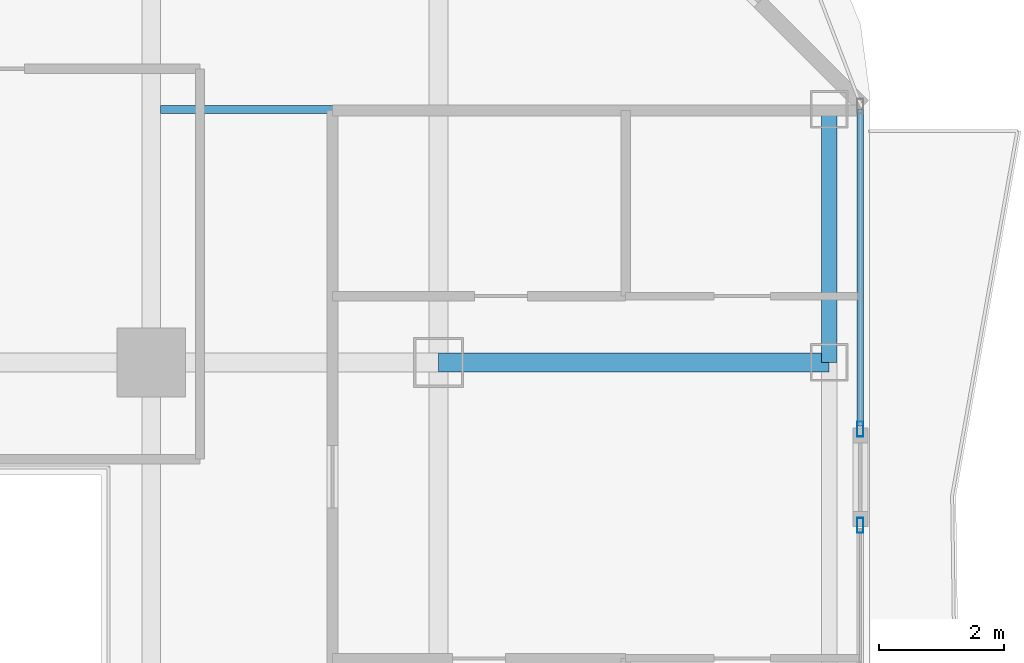
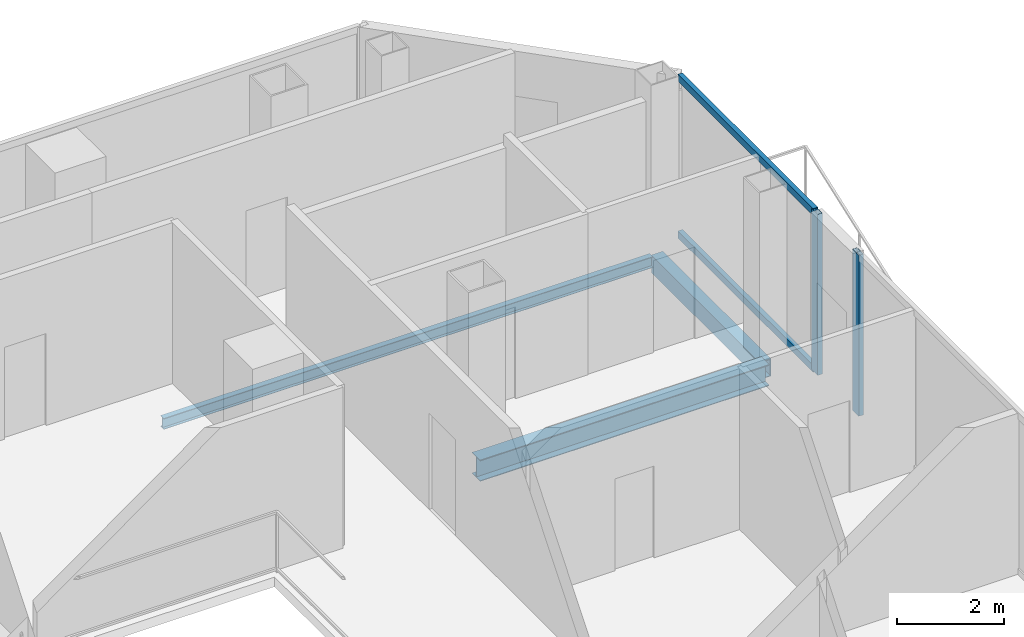
# One storey, part 16 of 27: 4 members, 3 beams, 2 elements without a shape of their own.
"""IFC4 building model written with IfcOpenShell, lengths in metres."""

from ifc_helpers import new_model, si_unit, direction, frame, origin, origin_2d, place, context, subcontext, project, spatial, hollow_rectangle, i_section, extrude, material, layer, layer_set, material_profile, profile_set, type_object, element, aggregate, save


model = new_model("IFC4")

# Units and contexts
model_context = context("Model", 3, precision=1e-05, world=origin(), true_north=direction((0.0, 1.0)))
body_context = subcontext(model_context, "Body", "Model", "MODEL_VIEW")
ifc_project = project(units=[si_unit("LENGTHUNIT", "METRE"), si_unit("AREAUNIT", "SQUARE_METRE"), si_unit("VOLUMEUNIT", "CUBIC_METRE"), si_unit("PLANEANGLEUNIT", "RADIAN"), si_unit("MASSUNIT", "GRAM", prefix="KILO")], contexts=[model_context])

# Site, building, storey
site_placement = place(None, origin())
site = spatial("IfcSite", under=ifc_project, at=site_placement, CompositionType="ELEMENT")
building_placement = place(site_placement, origin())
building = spatial("IfcBuilding", under=site, at=building_placement, Name="Khorvyn Point Tower", CompositionType="ELEMENT")
storey_placement = place(building_placement, frame((0.0, 0.0, 227.39990234375)))
storey = spatial("IfcBuildingStorey", under=building, at=storey_placement, Name="L56", CompositionType="ELEMENT", Elevation=227.39990234375)

# Curtain wall, member
ifc_material_1 = material(Name="Anodised aluminium 6063-T6 and laminated Low-E glass", Category="aluminium")
ifc_layer = layer(ifc_material_1, 0.18994140625)
ifc_layer_set = layer_set([ifc_layer], Name="Stick-Built Acoustic Curtain Wall CW-SYS-03")
curtain_wall_type = type_object("IfcCurtainWallType", Name="Stick-Built Acoustic Curtain Wall CW-SYS-03", PredefinedType="NOTDEFINED", material=ifc_layer_set)
curtain_wall_1_placement = place(storey_placement, origin())
curtain_wall_1 = element("IfcCurtainWall", 1, at=curtain_wall_1_placement, inside=storey, type_object=curtain_wall_type, Name="Curtain Wall", PredefinedType="NOTDEFINED")
ifc_material_2 = material(Name="Anodised aluminium 6063-T6", Category="aluminium")
ifc_material_profile_1 = material_profile(ifc_material_2, hollow_rectangle(XDim=0.10009765625, YDim=0.239990234375, WallThickness=0.0048828125, at=origin_2d()))
ifc_profile_set_1 = profile_set([ifc_material_profile_1], Name="Anodised aluminium 6063-T6 ALU-MUL-100x240")
member_type_1 = type_object("IfcMemberType", Name="Anodised Aluminium 6063-T6 Mullion ALU-MUL-100x240", PredefinedType="MULLION", material=ifc_profile_set_1)
member_1_placement = place(storey_placement, frame((26.14990234375, 6.33203125, 0.0), z_axis=(0.0, 0.0, 1.0), x_axis=(1.0, 0.0, 0.0)))
member_1 = element("IfcMember", 2, at=member_1_placement, type_object=member_type_1, Name="Transom", PredefinedType="MULLION", context=body_context, shape_type="SweptSolid", body=[
    extrude(hollow_rectangle(XDim=0.10009765625, YDim=0.239990234375, WallThickness=0.0048828125, at=origin_2d()), origin(), (0.0, 0.0, 1.0), 3.68017578125),
])

curtain_wall_2_placement = place(storey_placement, origin())
curtain_wall_2 = element("IfcCurtainWall", 3, at=curtain_wall_2_placement, inside=storey, type_object=curtain_wall_type, Name="Curtain Wall", PredefinedType="NOTDEFINED")
member_2_placement = place(storey_placement, frame((26.14990234375, 4.7919921875, 0.0), z_axis=(0.0, 0.0, 1.0), x_axis=(1.0, 0.0, 0.0)))
member_2 = element("IfcMember", 4, at=member_2_placement, type_object=member_type_1, Name="Transom", PredefinedType="MULLION", context=body_context, shape_type="SweptSolid", body=[
    extrude(hollow_rectangle(XDim=0.10009765625, YDim=0.239990234375, WallThickness=0.0048828125, at=origin_2d()), origin(), (0.0, 0.0, 1.0), 3.68017578125),
])
aggregate(curtain_wall_2, [member_2])

# Member
ifc_material_profile_2 = material_profile(ifc_material_2, hollow_rectangle(XDim=0.10009765625, YDim=0.159912109375, WallThickness=0.00439453125, at=origin_2d()))
ifc_profile_set_2 = profile_set([ifc_material_profile_2], Name="Anodised aluminium 6063-T6 ALU-TRN-100x160")
member_type_2 = type_object("IfcMemberType", Name="Anodised Aluminium 6063-T6 Transom ALU-TRN-100x160", PredefinedType="USERDEFINED", material=ifc_profile_set_2)
member_3_placement = place(storey_placement, frame((26.14990234375, 11.449951171875, 0.050048828125), z_axis=(0.0, -1.0, 0.0), x_axis=(1.0, 0.0, 0.0)))
member_3 = element("IfcMember", 5, at=member_3_placement, type_object=member_type_2, Name="Transom", ObjectType="TRANSOM", PredefinedType="USERDEFINED", context=body_context, shape_type="SweptSolid", body=[
    extrude(hollow_rectangle(XDim=0.10009765625, YDim=0.159912109375, WallThickness=0.00439453125, at=origin_2d()), origin(), (0.0, 0.0, 1.0), 5.06787109375),
])

member_4_placement = place(storey_placement, frame((26.14990234375, 11.449951171875, 3.630126953125), z_axis=(0.0, -1.0, 0.0), x_axis=(1.0, 0.0, 0.0)))
member_4 = element("IfcMember", 6, at=member_4_placement, type_object=member_type_2, Name="Transom", ObjectType="TRANSOM", PredefinedType="USERDEFINED", context=body_context, shape_type="SweptSolid", body=[
    extrude(hollow_rectangle(XDim=0.10009765625, YDim=0.159912109375, WallThickness=0.00439453125, at=origin_2d()), origin(), (0.0, 0.0, 1.0), 5.06787109375),
])

aggregate(curtain_wall_1, [member_1, member_3, member_4])

# Beams
ifc_material_3 = material(Name="Steel S355", Category="steel")
ifc_material_profile_3 = material_profile(ifc_material_3, i_section(OverallWidth=0.125, OverallDepth=0.25, WebThickness=0.006103515625, FlangeThickness=0.009033203125, at=origin_2d()))
ifc_profile_set_3 = profile_set([ifc_material_profile_3], Name="Steel S355 H250x125x6x9")
beam_type_1 = type_object("IfcBeamType", Name="Steel S355 Joist H250x125x6x9", PredefinedType="JOIST", material=ifc_profile_set_3)
beam_1_placement = place(storey_placement, frame((14.949951171875, 11.449951171875, -0.344970703125), z_axis=(1.0, 0.0, 0.0), x_axis=(0.0, 1.0, 0.0)))
element("IfcBeam", 7, at=beam_1_placement, inside=storey, type_object=beam_type_1, Name="Beam", PredefinedType="JOIST", context=body_context, shape_type="SweptSolid", body=[
    extrude(i_section(OverallWidth=0.125, OverallDepth=0.25, WebThickness=0.006103515625, FlangeThickness=0.009033203125, at=origin_2d()), origin(), (0.0, 0.0, 1.0), 10.574951171875),
])
ifc_material_profile_4 = material_profile(ifc_material_3, i_section(OverallWidth=0.300048828125, OverallDepth=0.488037109375, WebThickness=0.010986328125, FlangeThickness=0.01806640625, at=origin_2d()))
ifc_profile_set_4 = profile_set([ifc_material_profile_4], Name="Steel S355 H488x300x11x18")
beam_type_2 = type_object("IfcBeamType", Name="Steel S355 Spandrel H488x300x11x18", PredefinedType="SPANDREL", material=ifc_profile_set_4)
beam_2_placement = place(storey_placement, frame((19.39990234375, 7.39990234375, -0.4638671875), z_axis=(1.0, 0.0, 0.0), x_axis=(0.0, 1.0, 0.0)))
element("IfcBeam", 8, at=beam_2_placement, inside=storey, type_object=beam_type_2, Name="Beam", PredefinedType="SPANDREL", context=body_context, shape_type="SweptSolid", body=[
    extrude(i_section(OverallWidth=0.300048828125, OverallDepth=0.488037109375, WebThickness=0.010986328125, FlangeThickness=0.01806640625, at=origin_2d()), origin(), (0.0, 0.0, 1.0), 6.25),
])
ifc_material_profile_5 = material_profile(ifc_material_3, hollow_rectangle(XDim=0.25, YDim=0.39990234375, WallThickness=0.01611328125, at=origin_2d()))
ifc_profile_set_5 = profile_set([ifc_material_profile_5], Name="Steel S355 RHS400x250x16")
beam_type_3 = type_object("IfcBeamType", Name="Steel S355 Spandrel RHS400x250x16", PredefinedType="SPANDREL", material=ifc_profile_set_5)
beam_3_placement = place(storey_placement, frame((25.64990234375, 7.39990234375, -0.419921875), z_axis=(0.0, 1.0, 0.0), x_axis=(-1.0, 0.0, 0.0)))
element("IfcBeam", 9, at=beam_3_placement, inside=storey, type_object=beam_type_3, Name="Beam", PredefinedType="SPANDREL", context=body_context, shape_type="SweptSolid", body=[
    extrude(hollow_rectangle(XDim=0.25, YDim=0.39990234375, WallThickness=0.01611328125, at=origin_2d()), origin(), (0.0, 0.0, 1.0), 4.050048828125),
])

save(model, "model.ifc")
